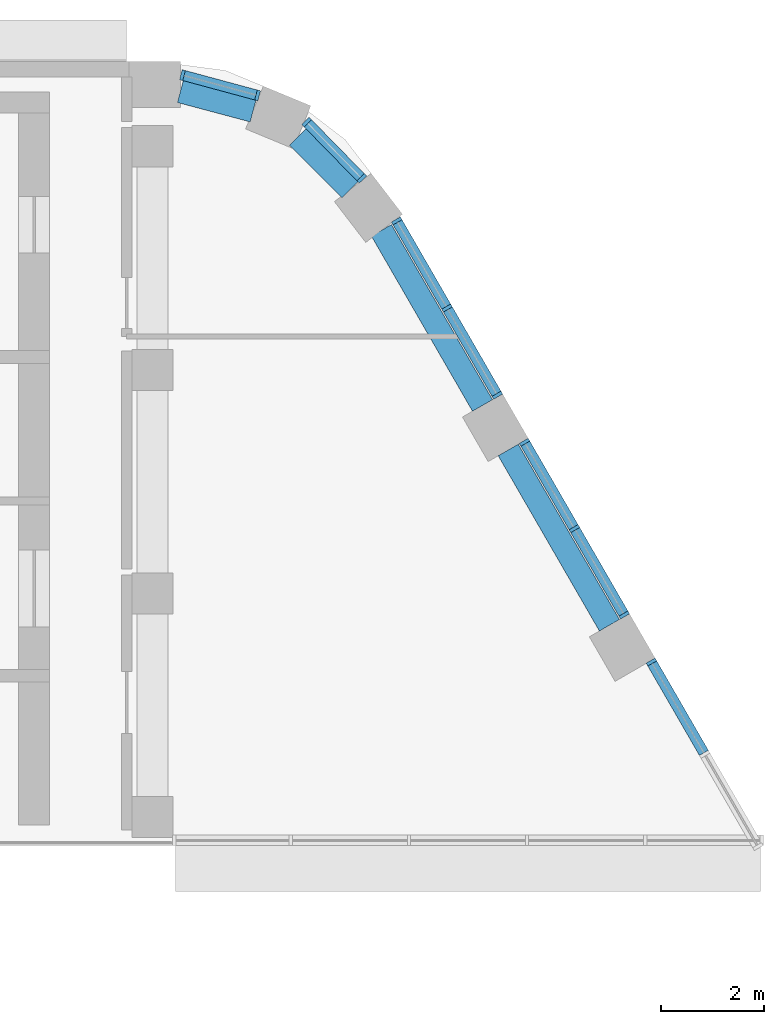
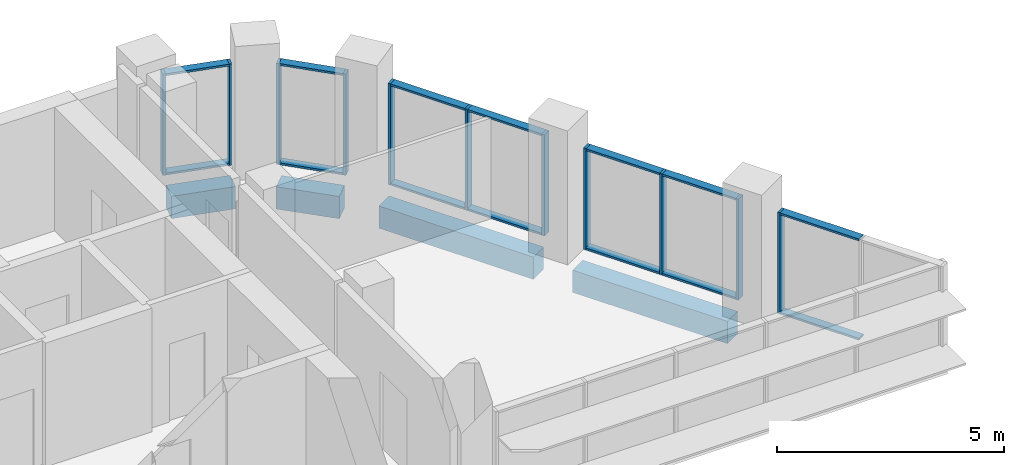
# One storey, part 5 of 10: 25 members, 4 beams, 5 elements without a shape of their own.
"""IFC4 building model written with IfcOpenShell, lengths in metres."""

from ifc_helpers import new_model, si_unit, direction, frame, origin, origin_2d, place, context, subcontext, project, spatial, rectangle, extrude, material, layer, layer_set, material_profile, profile_set, type_object, element, aggregate, save


model = new_model("IFC4")

# Units and contexts
model_context = context("Model", 3, precision=1e-05, world=origin(), true_north=direction((0.0, 1.0)))
body_context = subcontext(model_context, "Body", "Model", "MODEL_VIEW")
ifc_project = project(units=[si_unit("LENGTHUNIT", "METRE"), si_unit("AREAUNIT", "SQUARE_METRE"), si_unit("VOLUMEUNIT", "CUBIC_METRE"), si_unit("PLANEANGLEUNIT", "RADIAN"), si_unit("MASSUNIT", "GRAM", prefix="KILO")], contexts=[model_context])

# Site, building, storey
site_placement = place(None, origin())
site = spatial("IfcSite", under=ifc_project, at=site_placement, CompositionType="ELEMENT")
building_placement = place(site_placement, origin())
building = spatial("IfcBuilding", under=site, at=building_placement, Name="Nakaniwa Court", CompositionType="ELEMENT")
storey_placement = place(building_placement, frame((0.0, 0.0, 290.39990234375)))
storey = spatial("IfcBuildingStorey", under=building, at=storey_placement, Name="C06", CompositionType="ELEMENT", Elevation=290.39990234375)

# Beams
ifc_material_1 = material(Name="Concrete C80/100", Category="concrete")
ifc_material_profile_1 = material_profile(ifc_material_1, rectangle(XDim=0.449951171875, YDim=0.60009765625, at=origin_2d()), Name="Concrete C80/100 RC 450x600 spandrel beam")
ifc_profile_set_1 = profile_set([ifc_material_profile_1], Name="Concrete C80/100")
beam_type = type_object("IfcBeamType", Name="Concrete C80/100 RC 450x600 spandrel beam", PredefinedType="BEAM", material=ifc_profile_set_1)
beam_1_placement = place(storey_placement, frame((98.889404296875, 91.6826171875, -0.574951171875), z_axis=(-0.500021313302, 0.866013098194, 0.0), x_axis=(-0.866013098194, -0.500021313302, 0.0)))
element("IfcBeam", 1, at=beam_1_placement, inside=storey, type_object=beam_type, Name="SPANDREL BEAM", PredefinedType="BEAM", context=body_context, shape_type="SweptSolid", body=[
    extrude(rectangle(XDim=0.449951171875, YDim=0.60009765625, at=origin_2d()), origin(), (0.0, 0.0, 1.0), 3.936279296875),
])
beam_2_placement = place(storey_placement, frame((96.421142578125, 95.95751953125, -0.574951171875), z_axis=(-0.499958946799, 0.866049104564, 0.0), x_axis=(-0.866049104564, -0.499958946799, 0.0)))
element("IfcBeam", 2, at=beam_2_placement, inside=storey, type_object=beam_type, Name="SPANDREL BEAM", PredefinedType="BEAM", context=body_context, shape_type="SweptSolid", body=[
    extrude(rectangle(XDim=0.449951171875, YDim=0.60009765625, at=origin_2d()), origin(), (0.0, 0.0, 1.0), 3.931884765625),
])
beam_3_placement = place(storey_placement, frame((93.84716796875, 100.156494140625, -0.574951171875), z_axis=(-0.706004380105, 0.708207466265, 0.0), x_axis=(-0.708207466265, -0.706004380105, 0.0)))
element("IfcBeam", 3, at=beam_3_placement, inside=storey, type_object=beam_type, Name="SPANDREL BEAM", PredefinedType="BEAM", context=body_context, shape_type="SweptSolid", body=[
    extrude(rectangle(XDim=0.449951171875, YDim=0.60009765625, at=origin_2d()), origin(), (0.0, 0.0, 1.0), 1.440673828125),
])
beam_4_placement = place(storey_placement, frame((91.96044921875, 101.68994140625, -0.574951171875), z_axis=(-0.966301318257, 0.257413601689, 0.0), x_axis=(-0.257413601689, -0.966301318257, 0.0)))
element("IfcBeam", 4, at=beam_4_placement, inside=storey, type_object=beam_type, Name="SPANDREL BEAM", PredefinedType="BEAM", context=body_context, shape_type="SweptSolid", body=[
    extrude(rectangle(XDim=0.449951171875, YDim=0.60009765625, at=origin_2d()), origin(), (0.0, 0.0, 1.0), 1.46435546875),
])

# Curtain wall, member
ifc_material_2 = material(Name="Black anodised aluminium frame with dark low-E laminated double glazing", Category="aluminium")
ifc_layer = layer(ifc_material_2, 0.199951171875)
ifc_layer_set = layer_set([ifc_layer], Name="Black anodised aluminium frame with dark low-E laminated double glazing")
curtain_wall_type = type_object("IfcCurtainWallType", Name="Crown curtain wall", PredefinedType="NOTDEFINED", material=ifc_layer_set)
curtain_wall_1_placement = place(storey_placement, origin())
curtain_wall_1 = element("IfcCurtainWall", 5, at=curtain_wall_1_placement, inside=storey, type_object=curtain_wall_type, Name="C06 curtain wall CW4 04", PredefinedType="NOTDEFINED")
ifc_material_3 = material(Name="Black anodised aluminium extrusion", Category="aluminium")
ifc_material_profile_2 = material_profile(ifc_material_3, rectangle(XDim=0.199951171875, YDim=0.06494140625, at=origin_2d()), Name="Crown curtain wall mullion 65x200")
ifc_profile_set_2 = profile_set([ifc_material_profile_2], Name="Black anodised aluminium extrusion")
member_type_1 = type_object("IfcMemberType", Name="Crown curtain wall mullion 65x200", PredefinedType="MULLION", material=ifc_profile_set_2)
member_1_placement = place(storey_placement, frame((99.70654296875, 90.967041015625, 0.0), z_axis=(0.0, 0.0, 1.0), x_axis=(-0.866021000852, -0.500007626024, 0.0)))
member_1 = element("IfcMember", 6, at=member_1_placement, type_object=member_type_1, Name="CW4 mullion 3", PredefinedType="MULLION", context=body_context, shape_type="SweptSolid", body=[
    extrude(rectangle(XDim=0.199951171875, YDim=0.06494140625, at=origin_2d()), origin(), (0.0, 0.0, 1.0), 2.72509765625),
])

# Curtain wall, members
curtain_wall_2_placement = place(storey_placement, origin())
curtain_wall_2 = element("IfcCurtainWall", 7, at=curtain_wall_2_placement, inside=storey, type_object=curtain_wall_type, Name="C06 curtain wall CW4 05", PredefinedType="NOTDEFINED")
member_2_placement = place(storey_placement, frame((99.17822265625, 91.88232421875, 0.0), z_axis=(0.0, 0.0, 1.0), x_axis=(-0.866033174523, -0.499986540445, 0.0)))
member_2 = element("IfcMember", 8, at=member_2_placement, type_object=member_type_1, Name="CW4 mullion 1", PredefinedType="MULLION", context=body_context, shape_type="SweptSolid", body=[
    extrude(rectangle(XDim=0.199951171875, YDim=0.06494140625, at=origin_2d()), origin(), (0.0, 0.0, 1.0), 2.72509765625),
])
member_3_placement = place(storey_placement, frame((98.208251953125, 93.562255859375, 0.0), z_axis=(0.0, 0.0, 1.0), x_axis=(-0.866033174523, -0.499986540445, 0.0)))
member_3 = element("IfcMember", 9, at=member_3_placement, type_object=member_type_1, Name="CW4 mullion 2", PredefinedType="MULLION", context=body_context, shape_type="SweptSolid", body=[
    extrude(rectangle(XDim=0.199951171875, YDim=0.06494140625, at=origin_2d()), origin(), (0.0, 0.0, 1.0), 2.72509765625),
])
member_4_placement = place(storey_placement, frame((97.238525390625, 95.241943359375, 0.0), z_axis=(0.0, 0.0, 1.0), x_axis=(-0.866033174523, -0.499986540445, 0.0)))
member_4 = element("IfcMember", 10, at=member_4_placement, type_object=member_type_1, Name="CW4 mullion 3", PredefinedType="MULLION", context=body_context, shape_type="SweptSolid", body=[
    extrude(rectangle(XDim=0.199951171875, YDim=0.06494140625, at=origin_2d()), origin(), (0.0, 0.0, 1.0), 2.72509765625),
])

curtain_wall_3_placement = place(storey_placement, origin())
curtain_wall_3 = element("IfcCurtainWall", 11, at=curtain_wall_3_placement, inside=storey, type_object=curtain_wall_type, Name="C06 curtain wall CW4 06", PredefinedType="NOTDEFINED")
member_5_placement = place(storey_placement, frame((96.7099609375, 96.1572265625, 0.0), z_axis=(0.0, 0.0, 1.0), x_axis=(-0.866027822975, -0.499995809815, 0.0)))
member_5 = element("IfcMember", 12, at=member_5_placement, type_object=member_type_1, Name="CW4 mullion 1", PredefinedType="MULLION", context=body_context, shape_type="SweptSolid", body=[
    extrude(rectangle(XDim=0.199951171875, YDim=0.06494140625, at=origin_2d()), origin(), (0.0, 0.0, 1.0), 2.72509765625),
])
member_6_placement = place(storey_placement, frame((95.7314453125, 97.852294921875, 0.0), z_axis=(0.0, 0.0, 1.0), x_axis=(-0.866027822975, -0.499995809815, 0.0)))
member_6 = element("IfcMember", 13, at=member_6_placement, type_object=member_type_1, Name="CW4 mullion 2", PredefinedType="MULLION", context=body_context, shape_type="SweptSolid", body=[
    extrude(rectangle(XDim=0.199951171875, YDim=0.06494140625, at=origin_2d()), origin(), (0.0, 0.0, 1.0), 2.72509765625),
])
member_7_placement = place(storey_placement, frame((94.7529296875, 99.54736328125, 0.0), z_axis=(0.0, 0.0, 1.0), x_axis=(-0.866027822975, -0.499995809815, 0.0)))
member_7 = element("IfcMember", 14, at=member_7_placement, type_object=member_type_1, Name="CW4 mullion 3", PredefinedType="MULLION", context=body_context, shape_type="SweptSolid", body=[
    extrude(rectangle(XDim=0.199951171875, YDim=0.06494140625, at=origin_2d()), origin(), (0.0, 0.0, 1.0), 2.72509765625),
])

curtain_wall_4_placement = place(storey_placement, origin())
curtain_wall_4 = element("IfcCurtainWall", 15, at=curtain_wall_4_placement, inside=storey, type_object=curtain_wall_type, Name="C06 curtain wall CW4 07", PredefinedType="NOTDEFINED")
member_8_placement = place(storey_placement, frame((94.07275390625, 100.373046875, 0.0), z_axis=(0.0, 0.0, 1.0), x_axis=(-0.714886390238, -0.699240623143, 0.0)))
member_8 = element("IfcMember", 16, at=member_8_placement, type_object=member_type_1, Name="CW4 mullion 1", PredefinedType="MULLION", context=body_context, shape_type="SweptSolid", body=[
    extrude(rectangle(XDim=0.199951171875, YDim=0.06494140625, at=origin_2d()), origin(), (0.0, 0.0, 1.0), 2.72509765625),
])
member_9_placement = place(storey_placement, frame((93.000732421875, 101.46875, 0.0), z_axis=(0.0, 0.0, 1.0), x_axis=(-0.714886390238, -0.699240623143, 0.0)))
member_9 = element("IfcMember", 17, at=member_9_placement, type_object=member_type_1, Name="CW4 mullion 2", PredefinedType="MULLION", context=body_context, shape_type="SweptSolid", body=[
    extrude(rectangle(XDim=0.199951171875, YDim=0.06494140625, at=origin_2d()), origin(), (0.0, 0.0, 1.0), 2.72509765625),
])

curtain_wall_5_placement = place(storey_placement, origin())
curtain_wall_5 = element("IfcCurtainWall", 18, at=curtain_wall_5_placement, inside=storey, type_object=curtain_wall_type, Name="C06 curtain wall CW4 08", PredefinedType="NOTDEFINED")
member_10_placement = place(storey_placement, frame((92.046142578125, 101.98779296875, 0.0), z_axis=(0.0, 0.0, 1.0), x_axis=(-0.26086432797, -0.965375472235, 0.0)))
member_10 = element("IfcMember", 19, at=member_10_placement, type_object=member_type_1, Name="CW4 mullion 1", PredefinedType="MULLION", context=body_context, shape_type="SweptSolid", body=[
    extrude(rectangle(XDim=0.199951171875, YDim=0.06494140625, at=origin_2d()), origin(), (0.0, 0.0, 1.0), 2.72509765625),
])
member_11_placement = place(storey_placement, frame((90.585693359375, 102.38232421875, 0.0), z_axis=(0.0, 0.0, 1.0), x_axis=(-0.26086432797, -0.965375472235, 0.0)))
member_11 = element("IfcMember", 20, at=member_11_placement, type_object=member_type_1, Name="CW4 mullion 2", PredefinedType="MULLION", context=body_context, shape_type="SweptSolid", body=[
    extrude(rectangle(XDim=0.199951171875, YDim=0.06494140625, at=origin_2d()), origin(), (0.0, 0.0, 1.0), 2.72509765625),
])

# Member
ifc_material_profile_3 = material_profile(ifc_material_3, rectangle(XDim=0.199951171875, YDim=0.054931640625, at=origin_2d()), Name="Crown curtain wall transom 55x200")
ifc_profile_set_3 = profile_set([ifc_material_profile_3], Name="Black anodised aluminium extrusion")
member_type_2 = type_object("IfcMemberType", Name="Crown curtain wall transom 55x200", PredefinedType="USERDEFINED", material=ifc_profile_set_3)
member_12_placement = place(storey_placement, frame((100.7265625, 89.20068359375, 0.027587890625), z_axis=(-0.500024272756, 0.866011389449, 0.0), x_axis=(-0.866011389449, -0.500024272756, 0.0)))
member_12 = element("IfcMember", 21, at=member_12_placement, type_object=member_type_2, Name="CW4 transom 2.1", ObjectType="TRANSOM", PredefinedType="USERDEFINED", context=body_context, shape_type="SweptSolid", body=[
    extrude(rectangle(XDim=0.199951171875, YDim=0.054931640625, at=origin_2d()), origin(), (0.0, 0.0, 1.0), 2.00732421875),
])

member_13_placement = place(storey_placement, frame((100.7265625, 89.20068359375, 2.697509765625), z_axis=(-0.500024272756, 0.866011389449, 0.0), x_axis=(-0.866011389449, -0.500024272756, 0.0)))
member_13 = element("IfcMember", 22, at=member_13_placement, type_object=member_type_2, Name="CW4 transom 2.2", ObjectType="TRANSOM", PredefinedType="USERDEFINED", context=body_context, shape_type="SweptSolid", body=[
    extrude(rectangle(XDim=0.199951171875, YDim=0.054931640625, at=origin_2d()), origin(), (0.0, 0.0, 1.0), 2.00732421875),
])

aggregate(curtain_wall_1, [member_1, member_12, member_13])

member_14_placement = place(storey_placement, frame((99.161865234375, 91.910400390625, 0.027587890625), z_axis=(-0.499962952589, 0.86604679206, 0.0), x_axis=(-0.86604679206, -0.499962952589, 0.0)))
member_14 = element("IfcMember", 23, at=member_14_placement, type_object=member_type_2, Name="CW4 transom 1.1", ObjectType="TRANSOM", PredefinedType="USERDEFINED", context=body_context, shape_type="SweptSolid", body=[
    extrude(rectangle(XDim=0.199951171875, YDim=0.054931640625, at=origin_2d()), origin(), (0.0, 0.0, 1.0), 1.874755859375),
])

member_15_placement = place(storey_placement, frame((99.161865234375, 91.910400390625, 2.697509765625), z_axis=(-0.499962952589, 0.86604679206, 0.0), x_axis=(-0.86604679206, -0.499962952589, 0.0)))
member_15 = element("IfcMember", 24, at=member_15_placement, type_object=member_type_2, Name="CW4 transom 1.2", ObjectType="TRANSOM", PredefinedType="USERDEFINED", context=body_context, shape_type="SweptSolid", body=[
    extrude(rectangle(XDim=0.199951171875, YDim=0.054931640625, at=origin_2d()), origin(), (0.0, 0.0, 1.0), 1.874755859375),
])

member_16_placement = place(storey_placement, frame((98.192138671875, 93.59033203125, 0.027587890625), z_axis=(-0.499962952589, 0.86604679206, 0.0), x_axis=(-0.86604679206, -0.499962952589, 0.0)))
member_16 = element("IfcMember", 25, at=member_16_placement, type_object=member_type_2, Name="CW4 transom 2.1", ObjectType="TRANSOM", PredefinedType="USERDEFINED", context=body_context, shape_type="SweptSolid", body=[
    extrude(rectangle(XDim=0.199951171875, YDim=0.054931640625, at=origin_2d()), origin(), (0.0, 0.0, 1.0), 1.874755859375),
])

member_17_placement = place(storey_placement, frame((98.192138671875, 93.59033203125, 2.697509765625), z_axis=(-0.499962952589, 0.86604679206, 0.0), x_axis=(-0.86604679206, -0.499962952589, 0.0)))
member_17 = element("IfcMember", 26, at=member_17_placement, type_object=member_type_2, Name="CW4 transom 2.2", ObjectType="TRANSOM", PredefinedType="USERDEFINED", context=body_context, shape_type="SweptSolid", body=[
    extrude(rectangle(XDim=0.199951171875, YDim=0.054931640625, at=origin_2d()), origin(), (0.0, 0.0, 1.0), 1.874755859375),
])

aggregate(curtain_wall_2, [member_2, member_3, member_4, member_14, member_15, member_16, member_17])

member_18_placement = place(storey_placement, frame((96.69384765625, 96.185302734375, 0.027587890625), z_axis=(-0.499927200086, 0.866067430755, 0.0), x_axis=(-0.866067430755, -0.499927200086, 0.0)))
member_18 = element("IfcMember", 27, at=member_18_placement, type_object=member_type_2, Name="CW4 transom 1.1", ObjectType="TRANSOM", PredefinedType="USERDEFINED", context=body_context, shape_type="SweptSolid", body=[
    extrude(rectangle(XDim=0.199951171875, YDim=0.054931640625, at=origin_2d()), origin(), (0.0, 0.0, 1.0), 1.892333984375),
])

member_19_placement = place(storey_placement, frame((96.69384765625, 96.185302734375, 2.697509765625), z_axis=(-0.499927200086, 0.866067430755, 0.0), x_axis=(-0.866067430755, -0.499927200086, 0.0)))
member_19 = element("IfcMember", 28, at=member_19_placement, type_object=member_type_2, Name="CW4 transom 1.2", ObjectType="TRANSOM", PredefinedType="USERDEFINED", context=body_context, shape_type="SweptSolid", body=[
    extrude(rectangle(XDim=0.199951171875, YDim=0.054931640625, at=origin_2d()), origin(), (0.0, 0.0, 1.0), 1.892333984375),
])

member_20_placement = place(storey_placement, frame((95.715087890625, 97.88037109375, 0.027587890625), z_axis=(-0.499983064336, 0.866035181374, 0.0), x_axis=(-0.866035181374, -0.499983064336, 0.0)))
member_20 = element("IfcMember", 29, at=member_20_placement, type_object=member_type_2, Name="CW4 transom 2.1", ObjectType="TRANSOM", PredefinedType="USERDEFINED", context=body_context, shape_type="SweptSolid", body=[
    extrude(rectangle(XDim=0.199951171875, YDim=0.054931640625, at=origin_2d()), origin(), (0.0, 0.0, 1.0), 1.89208984375),
])

member_21_placement = place(storey_placement, frame((95.715087890625, 97.88037109375, 2.697509765625), z_axis=(-0.499983064336, 0.866035181374, 0.0), x_axis=(-0.866035181374, -0.499983064336, 0.0)))
member_21 = element("IfcMember", 30, at=member_21_placement, type_object=member_type_2, Name="CW4 transom 2.2", ObjectType="TRANSOM", PredefinedType="USERDEFINED", context=body_context, shape_type="SweptSolid", body=[
    extrude(rectangle(XDim=0.199951171875, YDim=0.054931640625, at=origin_2d()), origin(), (0.0, 0.0, 1.0), 1.89208984375),
])

aggregate(curtain_wall_3, [member_5, member_6, member_7, member_18, member_19, member_20, member_21])

member_22_placement = place(storey_placement, frame((94.050048828125, 100.396240234375, 0.027587890625), z_axis=(-0.699331103253, 0.71479787914, 0.0), x_axis=(-0.71479787914, -0.699331103253, 0.0)))
member_22 = element("IfcMember", 31, at=member_22_placement, type_object=member_type_2, Name="CW4 transom 1.1", ObjectType="TRANSOM", PredefinedType="USERDEFINED", context=body_context, shape_type="SweptSolid", body=[
    extrude(rectangle(XDim=0.199951171875, YDim=0.054931640625, at=origin_2d()), origin(), (0.0, 0.0, 1.0), 1.468017578125),
])

member_23_placement = place(storey_placement, frame((94.050048828125, 100.396240234375, 2.697509765625), z_axis=(-0.699331103253, 0.71479787914, 0.0), x_axis=(-0.71479787914, -0.699331103253, 0.0)))
member_23 = element("IfcMember", 32, at=member_23_placement, type_object=member_type_2, Name="CW4 transom 1.2", ObjectType="TRANSOM", PredefinedType="USERDEFINED", context=body_context, shape_type="SweptSolid", body=[
    extrude(rectangle(XDim=0.199951171875, YDim=0.054931640625, at=origin_2d()), origin(), (0.0, 0.0, 1.0), 1.468017578125),
])

aggregate(curtain_wall_4, [member_8, member_9, member_22, member_23])

member_24_placement = place(storey_placement, frame((92.014892578125, 101.996337890625, 0.027587890625), z_axis=(-0.965376018657, 0.260862305828, 0.0), x_axis=(-0.260862305828, -0.965376018657, 0.0)))
member_24 = element("IfcMember", 33, at=member_24_placement, type_object=member_type_2, Name="CW4 transom 1.1", ObjectType="TRANSOM", PredefinedType="USERDEFINED", context=body_context, shape_type="SweptSolid", body=[
    extrude(rectangle(XDim=0.199951171875, YDim=0.054931640625, at=origin_2d()), origin(), (0.0, 0.0, 1.0), 1.44775390625),
])

member_25_placement = place(storey_placement, frame((92.014892578125, 101.996337890625, 2.697509765625), z_axis=(-0.965376018657, 0.260862305828, 0.0), x_axis=(-0.260862305828, -0.965376018657, 0.0)))
member_25 = element("IfcMember", 34, at=member_25_placement, type_object=member_type_2, Name="CW4 transom 1.2", ObjectType="TRANSOM", PredefinedType="USERDEFINED", context=body_context, shape_type="SweptSolid", body=[
    extrude(rectangle(XDim=0.199951171875, YDim=0.054931640625, at=origin_2d()), origin(), (0.0, 0.0, 1.0), 1.44775390625),
])

aggregate(curtain_wall_5, [member_10, member_11, member_24, member_25])

save(model, "model.ifc")
